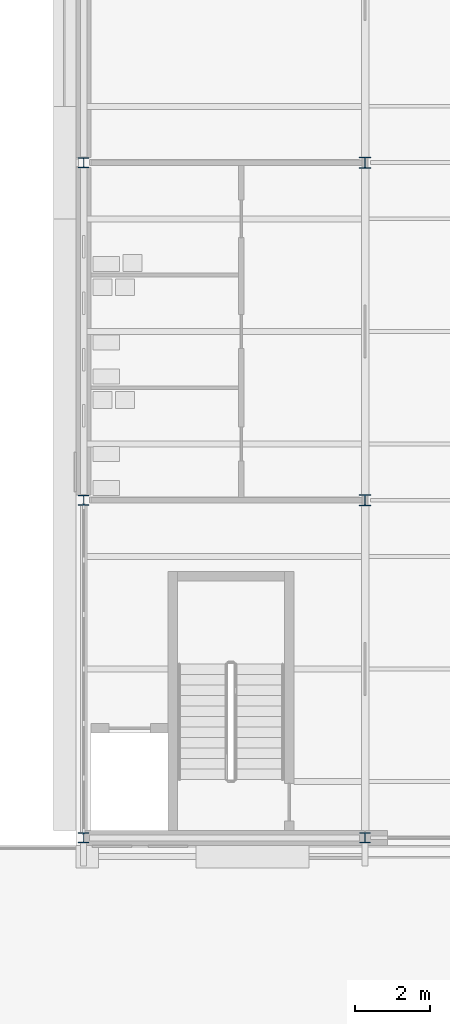
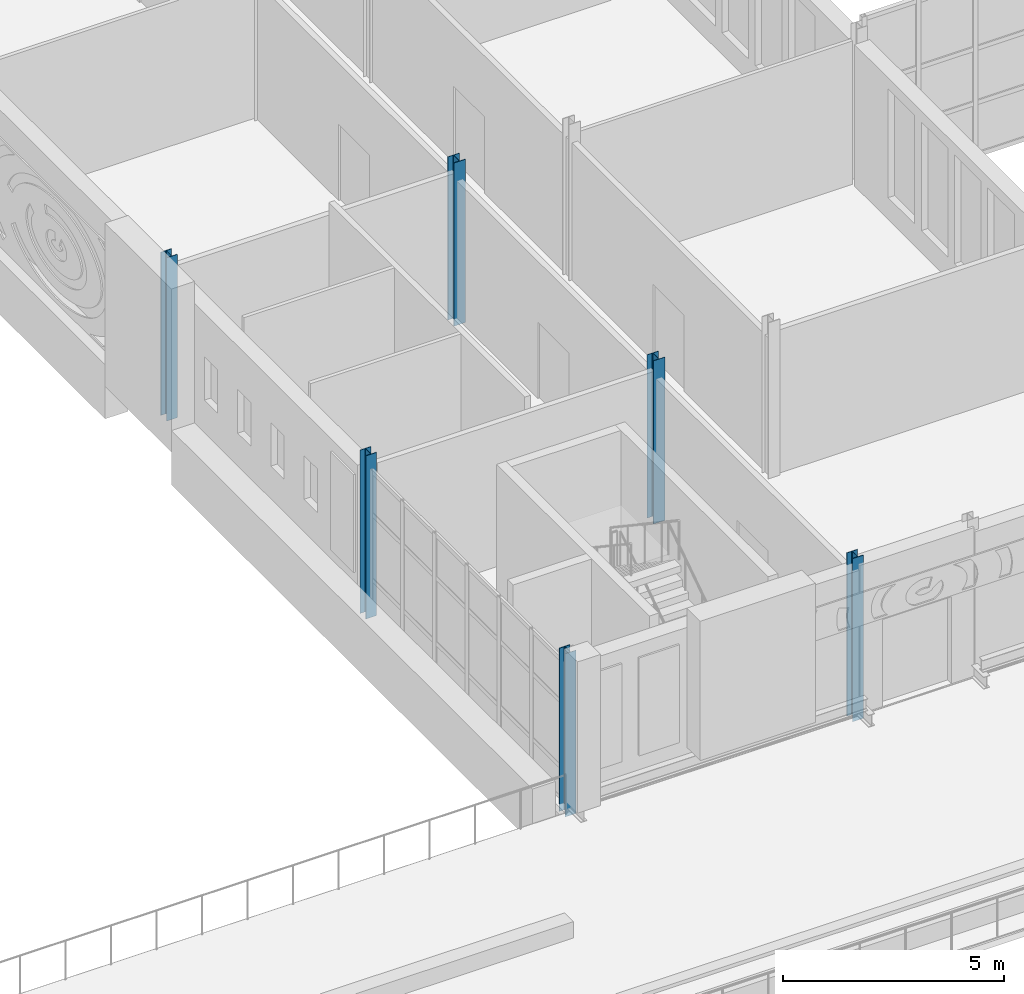
# One storey, part 2 of 134: 6 columns.
"""IFC4 building model written with IfcOpenShell, lengths in metres."""

from ifc_helpers import new_model, si_unit, direction, frame, origin, origin_2d, place, context, subcontext, project, spatial, i_section, extrude, material, material_profile, profile_set, type_object, element, save


model = new_model("IFC4")

# Units and contexts
model_context = context("Model", 3, precision=1e-05, world=origin(), true_north=direction((0.0, 1.0)))
body_context = subcontext(model_context, "Body", "Model", "MODEL_VIEW")
ifc_project = project(units=[si_unit("LENGTHUNIT", "METRE"), si_unit("AREAUNIT", "SQUARE_METRE"), si_unit("VOLUMEUNIT", "CUBIC_METRE"), si_unit("PLANEANGLEUNIT", "RADIAN"), si_unit("MASSUNIT", "GRAM", prefix="KILO")], contexts=[model_context])

# Site, building, storey
site_placement = place(None, origin())
site = spatial("IfcSite", under=ifc_project, at=site_placement, CompositionType="ELEMENT")
building_placement = place(site_placement, origin())
building = spatial("IfcBuilding", under=site, at=building_placement, Name="Golden Quay Civic Hall", CompositionType="ELEMENT")
storey_placement = place(building_placement, frame((0.0, 0.0, 5.39990234375)))
storey = spatial("IfcBuildingStorey", under=building, at=storey_placement, Name="L01", CompositionType="ELEMENT", Elevation=5.39990234375)

# Columns
ifc_material_1 = material(Name="Steel S355", Category="steel")
ifc_material_profile_1 = material_profile(ifc_material_1, i_section(OverallWidth=0.280029296875, OverallDepth=0.27001953125, WebThickness=0.008056640625, FlangeThickness=0.012939453125, FilletRadius=0.02392578125, at=origin_2d()), Name="HEA 280")
ifc_profile_set_1 = profile_set([ifc_material_profile_1], Name="Steel S355")
column_type_1 = type_object("IfcColumnType", Name="Steel column HEA 280", PredefinedType="COLUMN", material=ifc_profile_set_1)
for number, where, z_axis, x_axis, name in (
    (1, (54.0, 0.0, -0.199951171875), (0.0, 0.0, 1.0), (1.0, 0.0, 0.0), "Column 54/0 L01"),
    (2, (54.0, 9.0, -0.199951171875), (0.0, 0.0, 1.0), (1.0, 0.0, 0.0), "Column 54/9 L01"),
    (3, (54.0, 18.0, -0.199951171875), (0.0, 0.0, 1.0), (1.0, 0.0, 0.0), "Column 54/18 L01"),
    (4, (61.5, 0.0, -0.199951171875), (0.0, 0.0, 1.0), (1.0, 0.0, 0.0), "Column 61.5/0 L01"),
):
    element("IfcColumn", number, at=place(storey_placement, frame(where, z_axis=z_axis, x_axis=x_axis)), inside=storey, type_object=column_type_1, Name=name, PredefinedType="COLUMN", context=body_context, shape_type="SweptSolid", body=[
        extrude(i_section(OverallWidth=0.280029296875, OverallDepth=0.27001953125, WebThickness=0.008056640625, FlangeThickness=0.012939453125, FilletRadius=0.02392578125, at=origin_2d()), origin(), (0.0, 0.0, 1.0), 4.5),
    ])
ifc_material_2 = material(Name="Steel S355", Category="steel")
ifc_material_profile_2 = material_profile(ifc_material_2, i_section(OverallWidth=0.300048828125, OverallDepth=0.2900390625, WebThickness=0.008544921875, FlangeThickness=0.013916015625, FilletRadius=0.027099609375, at=origin_2d()), Name="HEA 300")
ifc_profile_set_2 = profile_set([ifc_material_profile_2], Name="Steel S355")
column_type_2 = type_object("IfcColumnType", Name="Steel column HEA 300", PredefinedType="COLUMN", material=ifc_profile_set_2)
for number, where, z_axis, x_axis, name in (
    (5, (61.5, 9.0, -0.199951171875), (0.0, 0.0, 1.0), (1.0, 0.0, 0.0), "Column 61.5/9 L01"),
    (6, (61.5, 18.0, -0.199951171875), (0.0, 0.0, 1.0), (1.0, 0.0, 0.0), "Column 61.5/18 L01"),
):
    element("IfcColumn", number, at=place(storey_placement, frame(where, z_axis=z_axis, x_axis=x_axis)), inside=storey, type_object=column_type_2, Name=name, PredefinedType="COLUMN", context=body_context, shape_type="SweptSolid", body=[
        extrude(i_section(OverallWidth=0.300048828125, OverallDepth=0.2900390625, WebThickness=0.008544921875, FlangeThickness=0.013916015625, FilletRadius=0.027099609375, at=origin_2d()), origin(), (0.0, 0.0, 1.0), 4.5),
    ])

save(model, "model.ifc")
